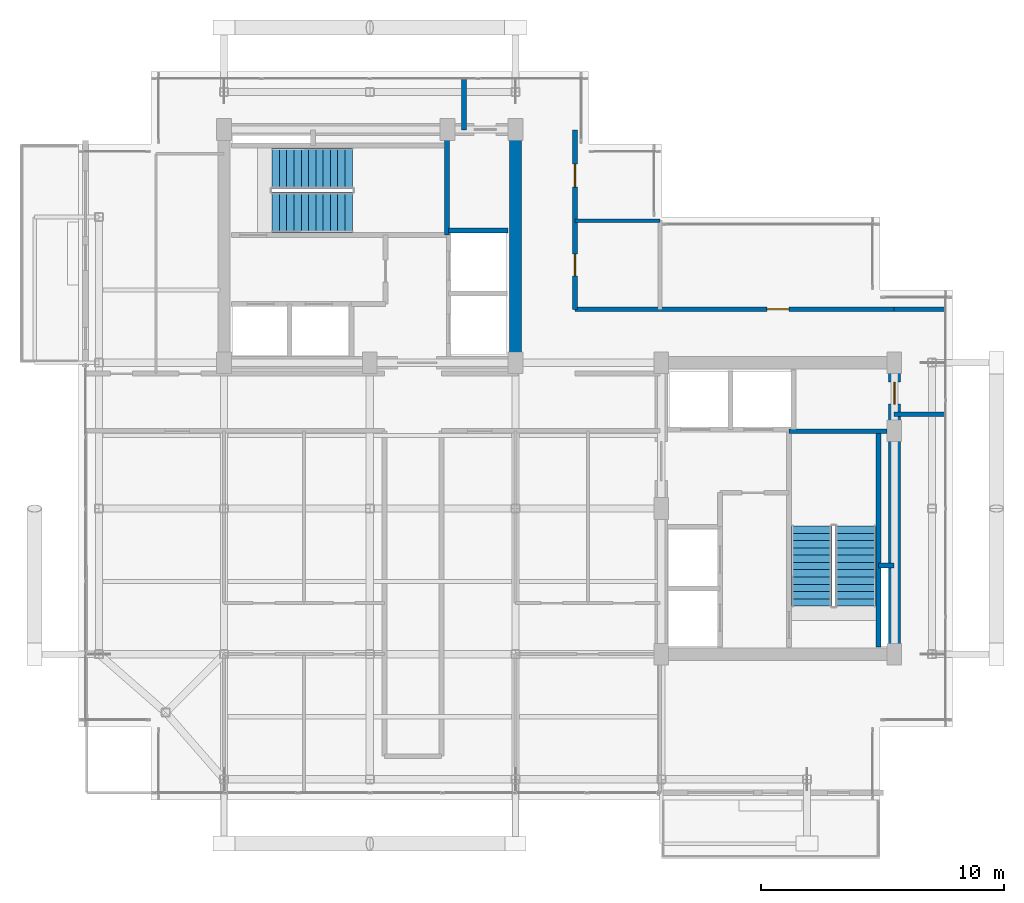
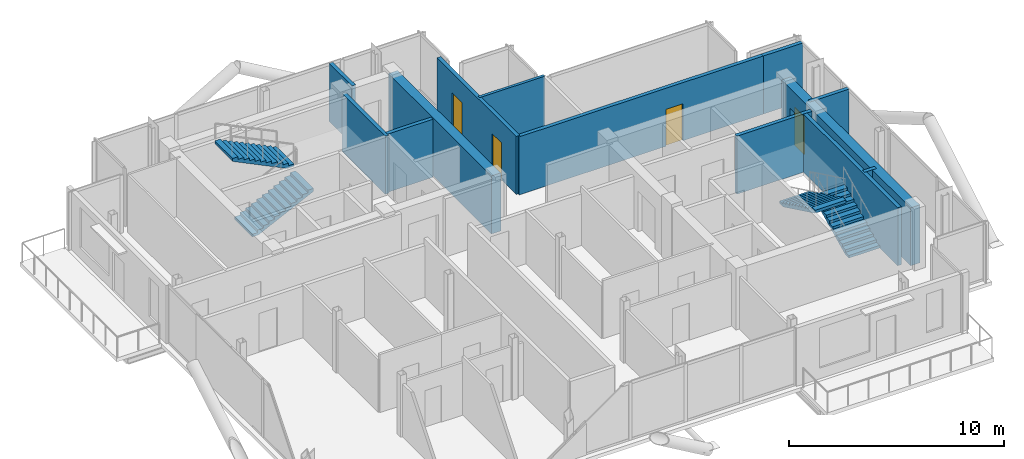
# One storey, part 17 of 19: 13 walls, 4 doors, 4 stair flights, 4 openings, 2 elements without a shape of their own.
"""IFC4 building model written with IfcOpenShell, lengths in metres."""

from ifc_helpers import new_model, si_unit, direction, frame, frame_2d, origin, place, context, subcontext, project, spatial, polyline, rectangle, outline, extrude, material, layer, layer_set, type_object, element, fill, aggregate, save


model = new_model("IFC4")

# Units and contexts
model_context = context("Model", 3, precision=1e-05, world=origin(), true_north=direction((0.0, 1.0)))
body_context = subcontext(model_context, "Body", "Model", "MODEL_VIEW")
ifc_project = project(units=[si_unit("LENGTHUNIT", "METRE"), si_unit("AREAUNIT", "SQUARE_METRE"), si_unit("VOLUMEUNIT", "CUBIC_METRE"), si_unit("PLANEANGLEUNIT", "RADIAN"), si_unit("MASSUNIT", "GRAM", prefix="KILO"), si_unit("THERMODYNAMICTEMPERATUREUNIT", "KELVIN"), si_unit("POWERUNIT", "WATT")], contexts=[model_context])

# Site, building, storey
site_placement = place(None, origin())
site = spatial("IfcSite", under=ifc_project, at=site_placement, CompositionType="ELEMENT")
building_placement = place(site_placement, origin())
building = spatial("IfcBuilding", under=site, at=building_placement, Name="Svarakhadi Broadcast Tower", CompositionType="ELEMENT")
storey_placement = place(building_placement, frame((0.0, 0.0, 257.199951171875)))
storey = spatial("IfcBuildingStorey", under=building, at=storey_placement, Name="L64", CompositionType="ELEMENT", Elevation=257.199951171875)

# Walls
ifc_material_1 = material(Name="Concrete C40/50 (IS 456 M50)", Category="concrete")
ifc_layer_1 = layer(ifc_material_1, 0.199951171875)
ifc_layer_set_1 = layer_set([ifc_layer_1], Name="Concrete C40/50 (IS 456 M50)")
wall_type_1 = type_object("IfcWallType", Name="Wall_Fire_200", PredefinedType="SOLIDWALL", material=ifc_layer_set_1)
wall_1_placement = place(storey_placement, frame((32.93994140625, 9.659912109375, 0.0), z_axis=(0.0, 0.0, 1.0), x_axis=(1.0, 0.0, 0.0)))
element("IfcWall", 1, at=wall_1_placement, inside=storey, type_object=wall_type_1, Name="L64 HV Busduct Riser Shaft North Wall", PredefinedType="SOLIDWALL", context=body_context, shape_type="SweptSolid", body=[
    extrude(rectangle(XDim=0.64013671875, YDim=0.199951171875, at=frame_2d((0.320068359375, 0.0))), origin(), (0.0, 0.0, 1.0), 3.300048828125),
])
wall_2_placement = place(storey_placement, frame((15.8798828125, 27.580078125, 0.0), z_axis=(0.0, 0.0, 1.0), x_axis=(0.0, 1.0, 0.0)))
element("IfcWall", 2, at=wall_2_placement, inside=storey, type_object=wall_type_1, Name="L64 Upper Tower Concourse Wall", PredefinedType="SOLIDWALL", context=body_context, shape_type="SweptSolid", body=[
    extrude(rectangle(XDim=2.119873046875, YDim=0.199951171875, at=frame_2d((1.06005859375, 0.0))), origin(), (0.0, 0.0, 1.0), 3.300048828125),
])

# Wall, openings, doors
wall_3_placement = place(storey_placement, frame((20.449951171875, 27.580078125, 0.0), z_axis=(0.0, 0.0, 1.0), x_axis=(0.0, -1.0, 0.0)))
wall_3 = element("IfcWall", 3, at=wall_3_placement, inside=storey, type_object=wall_type_1, Name="L64 Upper Tower Concourse Wall", PredefinedType="SOLIDWALL", context=body_context, shape_type="SweptSolid", body=[
    extrude(rectangle(XDim=7.380126953125, YDim=0.199951171875, at=frame_2d((3.68994140625, 0.0))), origin(), (0.0, 0.0, 1.0), 3.300048828125),
])
opening_1_placement = place(wall_3_placement, frame((5.10498046875, 0.0, 0.0)))
opening_1 = element("IfcOpeningElement", 4, at=opening_1_placement, cuts=wall_3, Name="Opening D-12", PredefinedType="OPENING", context=body_context, shape_type="SweptSolid", body=[
    extrude(rectangle(XDim=0.89990234375, YDim=2.10009765625, at=frame_2d((0.449951171875, 1.050048828125))), frame((0.0, 0.10986328125, 0.0), z_axis=(0.0, -1.0, 0.0), x_axis=(1.0, 0.0, 0.0)), (0.0, 0.0, 1.0), 0.219970703125),
])
opening_2_placement = place(wall_3_placement, frame((1.405029296875, 0.0, 0.0)))
opening_2 = element("IfcOpeningElement", 5, at=opening_2_placement, cuts=wall_3, Name="Opening D-07", PredefinedType="OPENING", context=body_context, shape_type="SweptSolid", body=[
    extrude(rectangle(XDim=0.949951171875, YDim=2.14990234375, at=frame_2d((0.47509765625, 1.074951171875))), frame((0.0, 0.10986328125, 0.0), z_axis=(0.0, -1.0, 0.0), x_axis=(1.0, 0.0, 0.0)), (0.0, 0.0, 1.0), 0.219970703125),
])
ifc_material_2 = material(Name="Solid-Core Teak Veneer Acoustic Timber Leaf", Category="wood")
door_type_1 = type_object("IfcDoorType", Name="Door_Office_D07", OperationType="SINGLE_SWING_RIGHT", PredefinedType="DOOR", material=ifc_material_2)
door_1_placement = place(opening_2_placement, origin())
door_1 = element("IfcDoor", 6, at=door_1_placement, inside=storey, type_object=door_type_1, Name="L64 Hotel Butler Service Pantry Door", OperationType="SINGLE_SWING_RIGHT", OverallHeight=2.14990234375, OverallWidth=0.949951171875, PredefinedType="DOOR", context=body_context, shape_type="SweptSolid", body=[
    extrude(rectangle(XDim=0.949951171875, YDim=2.14990234375, at=frame_2d((0.47509765625, 1.074951171875))), frame((0.0, 0.02490234375, 0.0), z_axis=(0.0, -1.0, 0.0), x_axis=(1.0, 0.0, 0.0)), (0.0, 0.0, 1.0), 0.050048828125),
])
fill(opening_2, door_1)
door_type_2 = type_object("IfcDoorType", Name="Door_WC_D01", OperationType="SINGLE_SWING_LEFT", PredefinedType="DOOR", material=ifc_material_2)
door_2_placement = place(opening_1_placement, origin())
door_2 = element("IfcDoor", 7, at=door_2_placement, inside=storey, type_object=door_type_2, Name="L64 Accessible Visitor Washroom WC Door", OperationType="SINGLE_SWING_LEFT", OverallHeight=2.10009765625, OverallWidth=0.89990234375, PredefinedType="DOOR", context=body_context, shape_type="SweptSolid", body=[
    extrude(rectangle(XDim=0.89990234375, YDim=2.10009765625, at=frame_2d((0.449951171875, 1.050048828125))), frame((0.0, 0.02490234375, 0.0), z_axis=(0.0, -1.0, 0.0), x_axis=(1.0, 0.0, 0.0)), (0.0, 0.0, 1.0), 0.050048828125),
])
fill(opening_1, door_2)

# Wall, opening, door
wall_4_placement = place(storey_placement, frame((20.449951171875, 20.199951171875, 0.0), z_axis=(0.0, 0.0, 1.0), x_axis=(1.0, 0.0, 0.0)))
wall_4 = element("IfcWall", 8, at=wall_4_placement, inside=storey, type_object=wall_type_1, Name="L64 Upper Tower Concourse Wall", PredefinedType="SOLIDWALL", context=body_context, shape_type="SweptSolid", body=[
    extrude(rectangle(XDim=13.130126953125, YDim=0.199951171875, at=frame_2d((6.56494140625, 0.0))), origin(), (0.0, 0.0, 1.0), 3.300048828125),
])
opening_3_placement = place(wall_4_placement, frame((7.89990234375, 0.0, 0.0)))
opening_3 = element("IfcOpeningElement", 9, at=opening_3_placement, cuts=wall_4, Name="Opening D-14", PredefinedType="OPENING", context=body_context, shape_type="SweptSolid", body=[
    extrude(rectangle(XDim=0.89990234375, YDim=2.10009765625, at=frame_2d((0.449951171875, 1.050048828125))), frame((0.0, 0.10986328125, 0.0), z_axis=(0.0, -1.0, 0.0), x_axis=(1.0, 0.0, 0.0)), (0.0, 0.0, 1.0), 0.219970703125),
])
door_type_3 = type_object("IfcDoorType", Name="Door_Int_D14", OperationType="SINGLE_SWING_LEFT", PredefinedType="DOOR", material=ifc_material_2)
door_3_placement = place(opening_3_placement, origin())
door_3 = element("IfcDoor", 10, at=door_3_placement, inside=storey, type_object=door_type_3, Name="L64 Harbour Sky Club Reading Room Door", OperationType="SINGLE_SWING_LEFT", OverallHeight=2.10009765625, OverallWidth=0.89990234375, PredefinedType="DOOR", context=body_context, shape_type="SweptSolid", body=[
    extrude(rectangle(XDim=0.89990234375, YDim=2.10009765625, at=frame_2d((0.449951171875, 1.050048828125))), frame((0.0, 0.02490234375, 0.0), z_axis=(0.0, -1.0, 0.0), x_axis=(1.0, 0.0, 0.0)), (0.0, 0.0, 1.0), 0.050048828125),
])
fill(opening_3, door_3)

# Walls
for number, where, z_axis, x_axis, name in (
    (11, (33.580078125, 20.199951171875, 0.0), (0.0, 0.0, 1.0), (1.0, 0.0, 0.0), "L64 Upper Tower Concourse Wall"),
    (12, (35.699951171875, 15.8798828125, 0.0), (0.0, 0.0, 1.0), (-1.0, 0.0, 0.0), "L64 Upper Tower Concourse Wall"),
):
    element("IfcWall", number, at=place(storey_placement, frame(where, z_axis=z_axis, x_axis=x_axis)), inside=storey, type_object=wall_type_1, Name=name, PredefinedType="SOLIDWALL", context=body_context, shape_type="SweptSolid", body=[
        extrude(rectangle(XDim=2.119873046875, YDim=0.199951171875, at=frame_2d((1.06005859375, 0.0))), origin(), (0.0, 0.0, 1.0), 3.300048828125),
    ])
ifc_material_3 = material(Name="Autoclaved Aerated Concrete Blockwork 150 mm", Category="masonry")
ifc_layer_2 = layer(ifc_material_3, 0.14990234375)
ifc_layer_set_2 = layer_set([ifc_layer_2], Name="Autoclaved Aerated Concrete Blockwork 150 mm")
wall_type_2 = type_object("IfcWallType", Name="Wall_Part_150", PredefinedType="PARTITIONING", material=ifc_layer_set_2)
wall_5_placement = place(storey_placement, frame((20.449951171875, 23.85009765625, 0.0), z_axis=(0.0, 0.0, 1.0), x_axis=(1.0, 0.0, 0.0)))
element("IfcWall", 13, at=wall_5_placement, inside=storey, type_object=wall_type_2, Name="L64 Accessible Visitor Washroom WC Wall", PredefinedType="PARTITIONING", context=body_context, shape_type="SweptSolid", body=[
    extrude(rectangle(XDim=3.5, YDim=0.14990234375, at=frame_2d((1.75, 0.0))), origin(), (0.0, 0.0, 1.0), 3.300048828125),
])
ifc_material_4 = material(Name="Concrete C50/60 (IS 456 M60)", Category="concrete")
ifc_layer_3 = layer(ifc_material_4, 0.199951171875)
ifc_layer_set_3 = layer_set([ifc_layer_3], Name="Concrete C50/60 (IS 456 M60)")
wall_type_3 = type_object("IfcWallType", Name="Wall_Shear_200", PredefinedType="SHEAR", material=ifc_layer_set_3)
wall_6_placement = place(storey_placement, frame((15.179931640625, 23.260009765625, 0.0), z_axis=(0.0, 0.0, 1.0), x_axis=(0.0, 1.0, 0.0)))
element("IfcWall", 14, at=wall_6_placement, inside=storey, type_object=wall_type_3, Name="L64 Stair ST-01 East RC Shaft Wall", PredefinedType="SHEAR", context=body_context, shape_type="SweptSolid", body=[
    extrude(rectangle(XDim=4.0400390625, YDim=0.199951171875, at=frame_2d((2.02001953125, 0.0))), origin(), (0.0, 0.0, 1.0), 3.300048828125),
])
wall_7_placement = place(storey_placement, frame((32.93994140625, 6.300048828125, 0.0), z_axis=(0.0, 0.0, 1.0), x_axis=(0.0, 1.0, 0.0)))
element("IfcWall", 15, at=wall_7_placement, inside=storey, type_object=wall_type_3, Name="L64 Stair ST-02 East RC Shaft Wall", PredefinedType="SHEAR", context=body_context, shape_type="SweptSolid", body=[
    extrude(rectangle(XDim=8.8798828125, YDim=0.199951171875, at=frame_2d((4.43994140625, 0.0))), origin(), (0.0, 0.0, 1.0), 3.300048828125),
])
wall_8_placement = place(storey_placement, frame((29.260009765625, 15.179931640625, 0.0), z_axis=(0.0, 0.0, 1.0), x_axis=(1.0, 0.0, 0.0)))
element("IfcWall", 16, at=wall_8_placement, inside=storey, type_object=wall_type_3, Name="L64 Stair ST-02 North RC Shaft Wall", PredefinedType="SHEAR", context=body_context, shape_type="SweptSolid", body=[
    extrude(rectangle(XDim=4.0400390625, YDim=0.199951171875, at=frame_2d((2.02001953125, 0.0))), origin(), (0.0, 0.0, 1.0), 3.300048828125),
])
wall_9_placement = place(storey_placement, frame((15.25, 23.449951171875, 0.0), z_axis=(0.0, 0.0, 1.0), x_axis=(1.0, 0.0, 0.0)))
element("IfcWall", 17, at=wall_9_placement, inside=storey, type_object=wall_type_3, Name="L64 High-Rise Lift LF-13/14 North Wall", PredefinedType="SHEAR", context=body_context, shape_type="SweptSolid", body=[
    extrude(rectangle(XDim=2.449951171875, YDim=0.199951171875, at=frame_2d((1.22509765625, 0.0))), origin(), (0.0, 0.0, 1.0), 3.300048828125),
])
ifc_layer_4 = layer(ifc_material_4, 0.5)
ifc_layer_set_4 = layer_set([ifc_layer_4], Name="Concrete C50/60 (IS 456 M60)")
wall_type_4 = type_object("IfcWallType", Name="Wall_Shear_500", PredefinedType="SHEAR", material=ifc_layer_set_4)
wall_10_placement = place(storey_placement, frame((18.0, 18.0, 0.0), z_axis=(0.0, 0.0, 1.0), x_axis=(0.0, 1.0, 0.0)))
element("IfcWall", 18, at=wall_10_placement, inside=storey, type_object=wall_type_4, Name="L64 West Core East Shear Wall", PredefinedType="SHEAR", context=body_context, shape_type="SweptSolid", body=[
    extrude(rectangle(XDim=9.60009765625, YDim=0.5, at=frame_2d((4.800048828125, 0.0))), origin(), (0.0, 0.0, 1.0), 3.300048828125),
])

# Wall, opening, door
wall_11_placement = place(storey_placement, frame((33.60009765625, 6.0, 0.0), z_axis=(0.0, 0.0, 1.0), x_axis=(0.0, 1.0, 0.0)))
wall_11 = element("IfcWall", 19, at=wall_11_placement, inside=storey, type_object=wall_type_4, Name="L64 East Core East Shear Wall", PredefinedType="SHEAR", context=body_context, shape_type="SweptSolid", body=[
    extrude(rectangle(XDim=12.0, YDim=0.5, at=frame_2d((6.0, 0.0))), origin(), (0.0, 0.0, 1.0), 3.300048828125),
])
opening_4_placement = place(wall_11_placement, frame((10.300048828125, 0.0, 0.0)))
opening_4 = element("IfcOpeningElement", 20, at=opening_4_placement, cuts=wall_11, Name="Opening D-03", PredefinedType="OPENING", context=body_context, shape_type="SweptSolid", body=[
    extrude(rectangle(XDim=0.89990234375, YDim=2.14990234375, at=frame_2d((0.449951171875, 1.074951171875))), frame((0.0, 0.260009765625, 0.0), z_axis=(0.0, -1.0, 0.0), x_axis=(1.0, 0.0, 0.0)), (0.0, 0.0, 1.0), 0.52001953125),
])
ifc_material_5 = material(Name="Galvanised Powder-Coated Fire-Rated Steel Leaf", Category="steel")
door_type_4 = type_object("IfcDoorType", Name="Door_Fire_D03", OperationType="SINGLE_SWING_LEFT", PredefinedType="DOOR", material=ifc_material_5)
door_4_placement = place(opening_4_placement, origin())
door_4 = element("IfcDoor", 21, at=door_4_placement, inside=storey, type_object=door_type_4, Name="L64 Core Service Room East Door", OperationType="SINGLE_SWING_LEFT", OverallHeight=2.14990234375, OverallWidth=0.89990234375, PredefinedType="DOOR", context=body_context, shape_type="SweptSolid", body=[
    extrude(rectangle(XDim=0.89990234375, YDim=2.14990234375, at=frame_2d((0.449951171875, 1.074951171875))), frame((0.0, 0.02490234375, 0.0), z_axis=(0.0, -1.0, 0.0), x_axis=(1.0, 0.0, 0.0)), (0.0, 0.0, 1.0), 0.050048828125),
])
fill(opening_4, door_4)

# Stair, stair flights
stair_type = type_object("IfcStairType", Name="Stair_Exit_Core", PredefinedType="HALF_TURN_STAIR", material=ifc_material_1)
stair_1_placement = place(storey_placement, origin())
stair_1 = element("IfcStair", 22, at=stair_1_placement, inside=storey, type_object=stair_type, Name="L64 West Core Protected Exit Stair ST-01", PredefinedType="HALF_TURN_STAIR")
stair_flight_type = type_object("IfcStairFlightType", Name="Flight_RC_1680", PredefinedType="STRAIGHT", material=ifc_material_1)
stair_flight_1_placement = place(storey_placement, frame((7.97998046875, 24.18994140625, 0.0), z_axis=(0.0, 0.0, 1.0), x_axis=(1.0, 0.0, 0.0)))
stair_flight_1 = element("IfcStairFlight", 23, at=stair_flight_1_placement, type_object=stair_flight_type, Name="ST-01 flight 1", NumberOfRisers=12, NumberOfTreads=11, PredefinedType="STRAIGHT", RiserHeight=0.145833333, TreadLength=0.3, context=body_context, shape_type="SweptSolid", body=[
    extrude(outline(polyline([(0.0, 0.0), (0.0, 0.145751953125), (0.300048828125, 0.145751953125), (0.300048828125, 0.291748046875), (0.60009765625, 0.291748046875), (0.60009765625, 0.4375), (0.89990234375, 0.4375), (0.89990234375, 0.583251953125), (1.199951171875, 0.583251953125), (1.199951171875, 0.729248046875), (1.5, 0.729248046875), (1.5, 0.875), (1.800048828125, 0.875), (1.800048828125, 1.020751953125), (2.10009765625, 1.020751953125), (2.10009765625, 1.166748046875), (2.39990234375, 1.166748046875), (2.39990234375, 1.3125), (2.699951171875, 1.3125), (2.699951171875, 1.458251953125), (3.0, 1.458251953125), (3.0, 1.604248046875), (3.300048828125, 1.604248046875), (3.300048828125, 1.75), (3.300048828125, 1.4375), (0.3427734375, 0.0), (0.0, 0.0)])), frame((0.0, 0.830078125, 0.0), z_axis=(0.0, -1.0, 0.0), x_axis=(1.0, 0.0, 0.0)), (0.0, 0.0, 1.0), 1.659912109375),
])
stair_flight_2_placement = place(storey_placement, frame((11.280029296875, 26.010009765625, 1.75), z_axis=(0.0, 0.0, 1.0), x_axis=(-1.0, 0.0, 0.0)))
stair_flight_2 = element("IfcStairFlight", 24, at=stair_flight_2_placement, type_object=stair_flight_type, Name="ST-01 flight 2", NumberOfRisers=12, NumberOfTreads=11, PredefinedType="STRAIGHT", RiserHeight=0.145833333, TreadLength=0.3, context=body_context, shape_type="SweptSolid", body=[
    extrude(outline(polyline([(0.0, 0.0), (0.0, 0.145751953125), (0.300048828125, 0.145751953125), (0.300048828125, 0.291748046875), (0.60009765625, 0.291748046875), (0.60009765625, 0.4375), (0.89990234375, 0.4375), (0.89990234375, 0.583251953125), (1.199951171875, 0.583251953125), (1.199951171875, 0.729248046875), (1.5, 0.729248046875), (1.5, 0.875), (1.800048828125, 0.875), (1.800048828125, 1.020751953125), (2.10009765625, 1.020751953125), (2.10009765625, 1.166748046875), (2.39990234375, 1.166748046875), (2.39990234375, 1.3125), (2.699951171875, 1.3125), (2.699951171875, 1.458251953125), (3.0, 1.458251953125), (3.0, 1.604248046875), (3.300048828125, 1.604248046875), (3.300048828125, 1.75), (3.300048828125, 1.4375), (0.3427734375, 0.0), (0.0, 0.0)])), frame((0.0, 0.830078125, 0.0), z_axis=(0.0, -1.0, 0.0), x_axis=(1.0, 0.0, 0.0)), (0.0, 0.0, 1.0), 1.659912109375),
])
aggregate(stair_1, [stair_flight_1, stair_flight_2])

stair_2_placement = place(storey_placement, origin())
stair_2 = element("IfcStair", 25, at=stair_2_placement, inside=storey, type_object=stair_type, Name="L64 East Core Protected Exit Stair ST-02", PredefinedType="HALF_TURN_STAIR")
stair_flight_3_placement = place(storey_placement, frame((32.010009765625, 7.97998046875, 0.0), z_axis=(0.0, 0.0, 1.0), x_axis=(0.0, 1.0, 0.0)))
stair_flight_3 = element("IfcStairFlight", 26, at=stair_flight_3_placement, type_object=stair_flight_type, Name="ST-02 flight 1", NumberOfRisers=12, NumberOfTreads=11, PredefinedType="STRAIGHT", RiserHeight=0.145833333, TreadLength=0.3, context=body_context, shape_type="SweptSolid", body=[
    extrude(outline(polyline([(0.0, 0.0), (0.0, 0.145751953125), (0.300048828125, 0.145751953125), (0.300048828125, 0.291748046875), (0.60009765625, 0.291748046875), (0.60009765625, 0.4375), (0.89990234375, 0.4375), (0.89990234375, 0.583251953125), (1.199951171875, 0.583251953125), (1.199951171875, 0.729248046875), (1.5, 0.729248046875), (1.5, 0.875), (1.800048828125, 0.875), (1.800048828125, 1.020751953125), (2.10009765625, 1.020751953125), (2.10009765625, 1.166748046875), (2.39990234375, 1.166748046875), (2.39990234375, 1.3125), (2.699951171875, 1.3125), (2.699951171875, 1.458251953125), (3.0, 1.458251953125), (3.0, 1.604248046875), (3.300048828125, 1.604248046875), (3.300048828125, 1.75), (3.300048828125, 1.4375), (0.3427734375, 0.0), (0.0, 0.0)])), frame((0.0, 0.830078125, 0.0), z_axis=(0.0, -1.0, 0.0), x_axis=(1.0, 0.0, 0.0)), (0.0, 0.0, 1.0), 1.659912109375),
])
stair_flight_4_placement = place(storey_placement, frame((30.18994140625, 11.280029296875, 1.75), z_axis=(0.0, 0.0, 1.0), x_axis=(0.0, -1.0, 0.0)))
stair_flight_4 = element("IfcStairFlight", 27, at=stair_flight_4_placement, type_object=stair_flight_type, Name="ST-02 flight 2", NumberOfRisers=12, NumberOfTreads=11, PredefinedType="STRAIGHT", RiserHeight=0.145833333, TreadLength=0.3, context=body_context, shape_type="SweptSolid", body=[
    extrude(outline(polyline([(0.0, 0.0), (0.0, 0.145751953125), (0.300048828125, 0.145751953125), (0.300048828125, 0.291748046875), (0.60009765625, 0.291748046875), (0.60009765625, 0.4375), (0.89990234375, 0.4375), (0.89990234375, 0.583251953125), (1.199951171875, 0.583251953125), (1.199951171875, 0.729248046875), (1.5, 0.729248046875), (1.5, 0.875), (1.800048828125, 0.875), (1.800048828125, 1.020751953125), (2.10009765625, 1.020751953125), (2.10009765625, 1.166748046875), (2.39990234375, 1.166748046875), (2.39990234375, 1.3125), (2.699951171875, 1.3125), (2.699951171875, 1.458251953125), (3.0, 1.458251953125), (3.0, 1.604248046875), (3.300048828125, 1.604248046875), (3.300048828125, 1.75), (3.300048828125, 1.4375), (0.3427734375, 0.0), (0.0, 0.0)])), frame((0.0, 0.830078125, 0.0), z_axis=(0.0, -1.0, 0.0), x_axis=(1.0, 0.0, 0.0)), (0.0, 0.0, 1.0), 1.659912109375),
])
aggregate(stair_2, [stair_flight_3, stair_flight_4])

save(model, "model.ifc")
